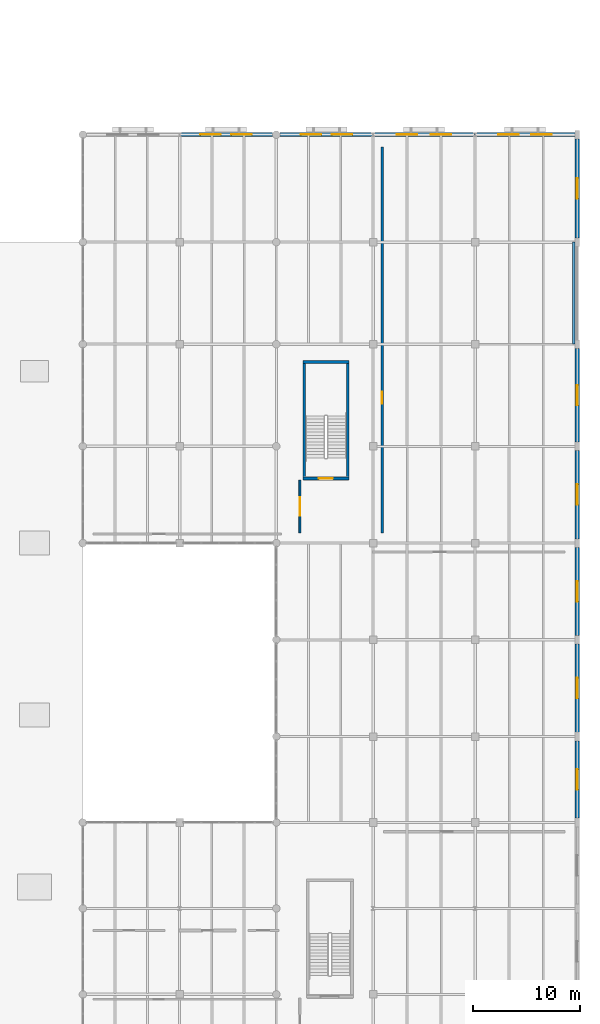
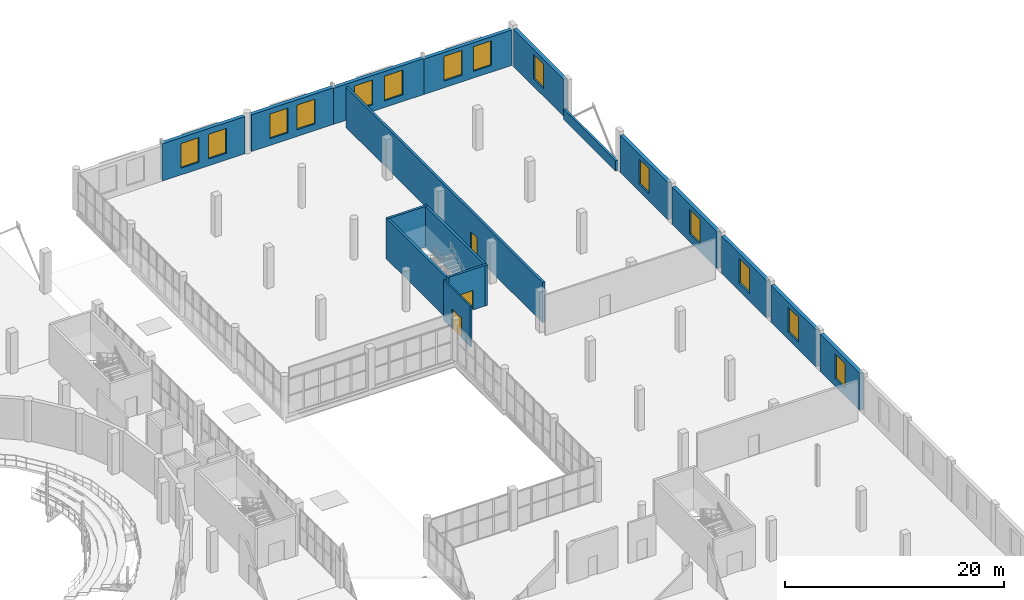
# One storey, part 76 of 93: 17 walls, 14 windows, 3 doors, 17 openings.
"""IFC4 building model written with IfcOpenShell, lengths in metres."""

from ifc_helpers import new_model, si_unit, direction, frame, frame_2d, origin, place, context, subcontext, project, spatial, rectangle, extrude, material, layer, layer_set, type_object, element, fill, save


model = new_model("IFC4")

# Units and contexts
model_context = context("Model", 3, precision=1e-05, world=origin(), true_north=direction((0.0, 1.0)))
body_context = subcontext(model_context, "Body", "Model", "MODEL_VIEW")
ifc_project = project(units=[si_unit("LENGTHUNIT", "METRE"), si_unit("AREAUNIT", "SQUARE_METRE"), si_unit("VOLUMEUNIT", "CUBIC_METRE"), si_unit("PLANEANGLEUNIT", "RADIAN"), si_unit("MASSUNIT", "GRAM", prefix="KILO")], contexts=[model_context])

# Site, building, storey
site_placement = place(None, origin())
site = spatial("IfcSite", under=ifc_project, at=site_placement, CompositionType="ELEMENT")
building_placement = place(site_placement, origin())
building = spatial("IfcBuilding", under=site, at=building_placement, Name="Marnock Terrace Opera House", CompositionType="ELEMENT")
storey_placement = place(building_placement, frame((0.0, 0.0, 5.39990234375)))
storey = spatial("IfcBuildingStorey", under=building, at=storey_placement, Name="L01", CompositionType="ELEMENT", Elevation=5.39990234375)

# Wall, opening, window
ifc_material_1 = material(Name="Basket Range sandstone ashlar masonry", Category="masonry")
ifc_layer_1 = layer(ifc_material_1, 0.389892578125)
ifc_layer_set_1 = layer_set([ifc_layer_1], Name="Basket Range sandstone ashlar masonry")
wall_type_1 = type_object("IfcWallType", Name="EW-ASHLAR-390", PredefinedType="SOLIDWALL", material=ifc_layer_set_1)
wall_1_placement = place(storey_placement, frame((164.0, 40.39599609375, 0.0), z_axis=(0.0, 0.0, 1.0), x_axis=(0.0, 1.0, 0.0)))
wall_1 = element("IfcWall", 1, at=wall_1_placement, inside=storey, type_object=wall_type_1, Name="L01 Volume 5 east sandstone facade 5", PredefinedType="SOLIDWALL", context=body_context, shape_type="SweptSolid", body=[
    extrude(rectangle(XDim=7.2080078125, YDim=0.389892578125, at=frame_2d((3.60400390625, 0.0))), origin(), (0.0, 0.0, 1.0), 4.151611328125),
])
opening_1_placement = place(wall_1_placement, frame((2.654052734375, 0.0, 0.85009765625)))
opening_1 = element("IfcOpeningElement", 2, at=opening_1_placement, cuts=wall_1, Name="Opening WT-25", PredefinedType="OPENING", context=body_context, shape_type="SweptSolid", body=[
    extrude(rectangle(XDim=1.89990234375, YDim=2.75, at=frame_2d((0.949951171875, 1.375))), frame((0.0, 0.204833984375, 0.0), z_axis=(0.0, -1.0, 0.0), x_axis=(1.0, 0.0, 0.0)), (0.0, 0.0, 1.0), 0.409912109375),
])
ifc_material_2 = material(Name="Double-glazed acoustic low-E laminated glass", Category="glass")
window_type = type_object("IfcWindowType", Name="WT-ARCH-1900", PartitioningType="DOUBLE_PANEL_VERTICAL", PredefinedType="WINDOW", material=ifc_material_2)
window_1_placement = place(opening_1_placement, origin())
window_1 = element("IfcWindow", 3, at=window_1_placement, inside=storey, type_object=window_type, Name="L01 facade window EW-V5E-L01-05.1", OverallHeight=2.75, OverallWidth=1.89990234375, PartitioningType="SINGLE_PANEL", PredefinedType="WINDOW", context=body_context, shape_type="SweptSolid", body=[
    extrude(rectangle(XDim=1.89990234375, YDim=2.75, at=frame_2d((0.949951171875, 1.375))), frame((0.0, 0.030029296875, 0.0), z_axis=(0.0, -1.0, 0.0), x_axis=(1.0, 0.0, 0.0)), (0.0, 0.0, 1.0), 0.06005859375),
])
fill(opening_1, window_1)

wall_2_placement = place(storey_placement, frame((164.0, 48.39599609375, 0.0), z_axis=(0.0, 0.0, 1.0), x_axis=(0.0, 1.0, 0.0)))
wall_2 = element("IfcWall", 4, at=wall_2_placement, inside=storey, type_object=wall_type_1, Name="L01 Volume 5 east sandstone facade 6", PredefinedType="SOLIDWALL", context=body_context, shape_type="SweptSolid", body=[
    extrude(rectangle(XDim=8.2080078125, YDim=0.389892578125, at=frame_2d((4.10400390625, 0.0))), origin(), (0.0, 0.0, 1.0), 4.151611328125),
])
opening_2_placement = place(wall_2_placement, frame((3.154052734375, 0.0, 0.85009765625)))
opening_2 = element("IfcOpeningElement", 5, at=opening_2_placement, cuts=wall_2, Name="Opening WT-25", PredefinedType="OPENING", context=body_context, shape_type="SweptSolid", body=[
    extrude(rectangle(XDim=1.89990234375, YDim=2.75, at=frame_2d((0.949951171875, 1.375))), frame((0.0, 0.204833984375, 0.0), z_axis=(0.0, -1.0, 0.0), x_axis=(1.0, 0.0, 0.0)), (0.0, 0.0, 1.0), 0.409912109375),
])
window_2_placement = place(opening_2_placement, origin())
window_2 = element("IfcWindow", 6, at=window_2_placement, inside=storey, type_object=window_type, Name="L01 facade window EW-V5E-L01-06.1", OverallHeight=2.75, OverallWidth=1.89990234375, PartitioningType="SINGLE_PANEL", PredefinedType="WINDOW", context=body_context, shape_type="SweptSolid", body=[
    extrude(rectangle(XDim=1.89990234375, YDim=2.75, at=frame_2d((0.949951171875, 1.375))), frame((0.0, 0.030029296875, 0.0), z_axis=(0.0, -1.0, 0.0), x_axis=(1.0, 0.0, 0.0)), (0.0, 0.0, 1.0), 0.06005859375),
])
fill(opening_2, window_2)

wall_3_placement = place(storey_placement, frame((164.0, 57.39599609375, 0.0), z_axis=(0.0, 0.0, 1.0), x_axis=(0.0, 1.0, 0.0)))
wall_3 = element("IfcWall", 7, at=wall_3_placement, inside=storey, type_object=wall_type_1, Name="L01 Volume 5 east sandstone facade 7", PredefinedType="SOLIDWALL", context=body_context, shape_type="SweptSolid", body=[
    extrude(rectangle(XDim=8.2080078125, YDim=0.389892578125, at=frame_2d((4.10400390625, 0.0))), origin(), (0.0, 0.0, 1.0), 4.151611328125),
])
opening_3_placement = place(wall_3_placement, frame((3.154052734375, 0.0, 0.85009765625)))
opening_3 = element("IfcOpeningElement", 8, at=opening_3_placement, cuts=wall_3, Name="Opening WT-25", PredefinedType="OPENING", context=body_context, shape_type="SweptSolid", body=[
    extrude(rectangle(XDim=1.89990234375, YDim=2.75, at=frame_2d((0.949951171875, 1.375))), frame((0.0, 0.204833984375, 0.0), z_axis=(0.0, -1.0, 0.0), x_axis=(1.0, 0.0, 0.0)), (0.0, 0.0, 1.0), 0.409912109375),
])
window_3_placement = place(opening_3_placement, origin())
window_3 = element("IfcWindow", 9, at=window_3_placement, inside=storey, type_object=window_type, Name="L01 facade window EW-V5E-L01-07.1", OverallHeight=2.75, OverallWidth=1.89990234375, PartitioningType="SINGLE_PANEL", PredefinedType="WINDOW", context=body_context, shape_type="SweptSolid", body=[
    extrude(rectangle(XDim=1.89990234375, YDim=2.75, at=frame_2d((0.949951171875, 1.375))), frame((0.0, 0.030029296875, 0.0), z_axis=(0.0, -1.0, 0.0), x_axis=(1.0, 0.0, 0.0)), (0.0, 0.0, 1.0), 0.06005859375),
])
fill(opening_3, window_3)

wall_4_placement = place(storey_placement, frame((164.0, 66.39599609375, 0.0), z_axis=(0.0, 0.0, 1.0), x_axis=(0.0, 1.0, 0.0)))
wall_4 = element("IfcWall", 10, at=wall_4_placement, inside=storey, type_object=wall_type_1, Name="L01 Volume 5 east sandstone facade 8", PredefinedType="SOLIDWALL", context=body_context, shape_type="SweptSolid", body=[
    extrude(rectangle(XDim=8.2080078125, YDim=0.389892578125, at=frame_2d((4.10400390625, 0.0))), origin(), (0.0, 0.0, 1.0), 4.151611328125),
])
opening_4_placement = place(wall_4_placement, frame((3.154052734375, 0.0, 0.85009765625)))
opening_4 = element("IfcOpeningElement", 11, at=opening_4_placement, cuts=wall_4, Name="Opening WT-25", PredefinedType="OPENING", context=body_context, shape_type="SweptSolid", body=[
    extrude(rectangle(XDim=1.89990234375, YDim=2.75, at=frame_2d((0.949951171875, 1.375))), frame((0.0, 0.204833984375, 0.0), z_axis=(0.0, -1.0, 0.0), x_axis=(1.0, 0.0, 0.0)), (0.0, 0.0, 1.0), 0.409912109375),
])
window_4_placement = place(opening_4_placement, origin())
window_4 = element("IfcWindow", 12, at=window_4_placement, inside=storey, type_object=window_type, Name="L01 facade window EW-V5E-L01-08.1", OverallHeight=2.75, OverallWidth=1.89990234375, PartitioningType="SINGLE_PANEL", PredefinedType="WINDOW", context=body_context, shape_type="SweptSolid", body=[
    extrude(rectangle(XDim=1.89990234375, YDim=2.75, at=frame_2d((0.949951171875, 1.375))), frame((0.0, 0.030029296875, 0.0), z_axis=(0.0, -1.0, 0.0), x_axis=(1.0, 0.0, 0.0)), (0.0, 0.0, 1.0), 0.06005859375),
])
fill(opening_4, window_4)

wall_5_placement = place(storey_placement, frame((164.0, 75.39599609375, 0.0), z_axis=(0.0, 0.0, 1.0), x_axis=(0.0, 1.0, 0.0)))
wall_5 = element("IfcWall", 13, at=wall_5_placement, inside=storey, type_object=wall_type_1, Name="L01 Volume 5 east sandstone facade 9", PredefinedType="SOLIDWALL", context=body_context, shape_type="SweptSolid", body=[
    extrude(rectangle(XDim=8.7080078125, YDim=0.389892578125, at=frame_2d((4.35400390625, 0.0))), origin(), (0.0, 0.0, 1.0), 4.151611328125),
])
opening_5_placement = place(wall_5_placement, frame((3.404052734375, 0.0, 0.85009765625)))
opening_5 = element("IfcOpeningElement", 14, at=opening_5_placement, cuts=wall_5, Name="Opening WT-25", PredefinedType="OPENING", context=body_context, shape_type="SweptSolid", body=[
    extrude(rectangle(XDim=1.89990234375, YDim=2.75, at=frame_2d((0.949951171875, 1.375))), frame((0.0, 0.204833984375, 0.0), z_axis=(0.0, -1.0, 0.0), x_axis=(1.0, 0.0, 0.0)), (0.0, 0.0, 1.0), 0.409912109375),
])
window_5_placement = place(opening_5_placement, origin())
window_5 = element("IfcWindow", 15, at=window_5_placement, inside=storey, type_object=window_type, Name="L01 facade window EW-V5E-L01-09.1", OverallHeight=2.75, OverallWidth=1.89990234375, PartitioningType="SINGLE_PANEL", PredefinedType="WINDOW", context=body_context, shape_type="SweptSolid", body=[
    extrude(rectangle(XDim=1.89990234375, YDim=2.75, at=frame_2d((0.949951171875, 1.375))), frame((0.0, 0.030029296875, 0.0), z_axis=(0.0, -1.0, 0.0), x_axis=(1.0, 0.0, 0.0)), (0.0, 0.0, 1.0), 0.06005859375),
])
fill(opening_5, window_5)

wall_6_placement = place(storey_placement, frame((164.0, 94.39599609375, 0.0), z_axis=(0.0, 0.0, 1.0), x_axis=(0.0, 1.0, 0.0)))
wall_6 = element("IfcWall", 16, at=wall_6_placement, inside=storey, type_object=wall_type_1, Name="L01 Volume 5 east sandstone facade 11", PredefinedType="SOLIDWALL", context=body_context, shape_type="SweptSolid", body=[
    extrude(rectangle(XDim=9.2080078125, YDim=0.389892578125, at=frame_2d((4.60400390625, 0.0))), origin(), (0.0, 0.0, 1.0), 4.151611328125),
])
opening_6_placement = place(wall_6_placement, frame((3.654052734375, 0.0, 0.85009765625)))
opening_6 = element("IfcOpeningElement", 17, at=opening_6_placement, cuts=wall_6, Name="Opening WT-25", PredefinedType="OPENING", context=body_context, shape_type="SweptSolid", body=[
    extrude(rectangle(XDim=1.89990234375, YDim=2.75, at=frame_2d((0.949951171875, 1.375))), frame((0.0, 0.204833984375, 0.0), z_axis=(0.0, -1.0, 0.0), x_axis=(1.0, 0.0, 0.0)), (0.0, 0.0, 1.0), 0.409912109375),
])
window_6_placement = place(opening_6_placement, origin())
window_6 = element("IfcWindow", 18, at=window_6_placement, inside=storey, type_object=window_type, Name="L01 facade window EW-V5E-L01-11.1", OverallHeight=2.75, OverallWidth=1.89990234375, PartitioningType="SINGLE_PANEL", PredefinedType="WINDOW", context=body_context, shape_type="SweptSolid", body=[
    extrude(rectangle(XDim=1.89990234375, YDim=2.75, at=frame_2d((0.949951171875, 1.375))), frame((0.0, 0.030029296875, 0.0), z_axis=(0.0, -1.0, 0.0), x_axis=(1.0, 0.0, 0.0)), (0.0, 0.0, 1.0), 0.06005859375),
])
fill(opening_6, window_6)

# Wall, openings, windows
wall_7_placement = place(storey_placement, frame((127.0, 104.0, 0.0), z_axis=(0.0, 0.0, 1.0), x_axis=(1.0, 0.0, 0.0)))
wall_7 = element("IfcWall", 19, at=wall_7_placement, inside=storey, type_object=wall_type_1, Name="L01 Volume 5 north parklands facade 2", PredefinedType="SOLIDWALL", context=body_context, shape_type="SweptSolid", body=[
    extrude(rectangle(XDim=8.654052734375, YDim=0.389892578125, at=frame_2d((4.3271484375, 0.0))), origin(), (0.0, 0.0, 1.0), 4.1474609375),
])
opening_7_placement = place(wall_7_placement, frame((1.934814453125, 0.0, 0.75)))
opening_7 = element("IfcOpeningElement", 20, at=opening_7_placement, cuts=wall_7, Name="Opening WT-25", PredefinedType="OPENING", context=body_context, shape_type="SweptSolid", body=[
    extrude(rectangle(XDim=1.89990234375, YDim=2.75, at=frame_2d((0.949951171875, 1.375))), frame((0.0, 0.204833984375, 0.0), z_axis=(0.0, -1.0, 0.0), x_axis=(1.0, 0.0, 0.0)), (0.0, 0.0, 1.0), 0.409912109375),
])
opening_8_placement = place(wall_7_placement, frame((4.8193359375, 0.0, 0.75)))
opening_8 = element("IfcOpeningElement", 21, at=opening_8_placement, cuts=wall_7, Name="Opening WT-25", PredefinedType="OPENING", context=body_context, shape_type="SweptSolid", body=[
    extrude(rectangle(XDim=1.89990234375, YDim=2.75, at=frame_2d((0.949951171875, 1.375))), frame((0.0, 0.204833984375, 0.0), z_axis=(0.0, -1.0, 0.0), x_axis=(1.0, 0.0, 0.0)), (0.0, 0.0, 1.0), 0.409912109375),
])
window_7_placement = place(opening_7_placement, origin())
window_7 = element("IfcWindow", 22, at=window_7_placement, inside=storey, type_object=window_type, Name="L01 facade window EW-V5N-L01-2.1", OverallHeight=2.75, OverallWidth=1.89990234375, PartitioningType="SINGLE_PANEL", PredefinedType="WINDOW", context=body_context, shape_type="SweptSolid", body=[
    extrude(rectangle(XDim=1.89990234375, YDim=2.75, at=frame_2d((0.949951171875, 1.375))), frame((0.0, 0.030029296875, 0.0), z_axis=(0.0, -1.0, 0.0), x_axis=(1.0, 0.0, 0.0)), (0.0, 0.0, 1.0), 0.06005859375),
])
fill(opening_7, window_7)
window_8_placement = place(opening_8_placement, origin())
window_8 = element("IfcWindow", 23, at=window_8_placement, inside=storey, type_object=window_type, Name="L01 facade window EW-V5N-L01-2.2", OverallHeight=2.75, OverallWidth=1.89990234375, PartitioningType="SINGLE_PANEL", PredefinedType="WINDOW", context=body_context, shape_type="SweptSolid", body=[
    extrude(rectangle(XDim=1.89990234375, YDim=2.75, at=frame_2d((0.949951171875, 1.375))), frame((0.0, 0.030029296875, 0.0), z_axis=(0.0, -1.0, 0.0), x_axis=(1.0, 0.0, 0.0)), (0.0, 0.0, 1.0), 0.06005859375),
])
fill(opening_8, window_8)

wall_8_placement = place(storey_placement, frame((136.345947265625, 104.0, 0.0), z_axis=(0.0, 0.0, 1.0), x_axis=(1.0, 0.0, 0.0)))
wall_8 = element("IfcWall", 24, at=wall_8_placement, inside=storey, type_object=wall_type_1, Name="L01 Volume 5 north parklands facade 3", PredefinedType="SOLIDWALL", context=body_context, shape_type="SweptSolid", body=[
    extrude(rectangle(XDim=8.654052734375, YDim=0.389892578125, at=frame_2d((4.3271484375, 0.0))), origin(), (0.0, 0.0, 1.0), 4.089599609375),
])
opening_9_placement = place(wall_8_placement, frame((1.934814453125, 0.0, 0.75)))
opening_9 = element("IfcOpeningElement", 25, at=opening_9_placement, cuts=wall_8, Name="Opening WT-25", PredefinedType="OPENING", context=body_context, shape_type="SweptSolid", body=[
    extrude(rectangle(XDim=1.89990234375, YDim=2.75, at=frame_2d((0.949951171875, 1.375))), frame((0.0, 0.204833984375, 0.0), z_axis=(0.0, -1.0, 0.0), x_axis=(1.0, 0.0, 0.0)), (0.0, 0.0, 1.0), 0.409912109375),
])
opening_10_placement = place(wall_8_placement, frame((4.8193359375, 0.0, 0.75)))
opening_10 = element("IfcOpeningElement", 26, at=opening_10_placement, cuts=wall_8, Name="Opening WT-25", PredefinedType="OPENING", context=body_context, shape_type="SweptSolid", body=[
    extrude(rectangle(XDim=1.89990234375, YDim=2.75, at=frame_2d((0.949951171875, 1.375))), frame((0.0, 0.204833984375, 0.0), z_axis=(0.0, -1.0, 0.0), x_axis=(1.0, 0.0, 0.0)), (0.0, 0.0, 1.0), 0.409912109375),
])
window_9_placement = place(opening_9_placement, origin())
window_9 = element("IfcWindow", 27, at=window_9_placement, inside=storey, type_object=window_type, Name="L01 facade window EW-V5N-L01-3.1", OverallHeight=2.75, OverallWidth=1.89990234375, PartitioningType="SINGLE_PANEL", PredefinedType="WINDOW", context=body_context, shape_type="SweptSolid", body=[
    extrude(rectangle(XDim=1.89990234375, YDim=2.75, at=frame_2d((0.949951171875, 1.375))), frame((0.0, 0.030029296875, 0.0), z_axis=(0.0, -1.0, 0.0), x_axis=(1.0, 0.0, 0.0)), (0.0, 0.0, 1.0), 0.06005859375),
])
fill(opening_9, window_9)
window_10_placement = place(opening_10_placement, origin())
window_10 = element("IfcWindow", 28, at=window_10_placement, inside=storey, type_object=window_type, Name="L01 facade window EW-V5N-L01-3.2", OverallHeight=2.75, OverallWidth=1.89990234375, PartitioningType="SINGLE_PANEL", PredefinedType="WINDOW", context=body_context, shape_type="SweptSolid", body=[
    extrude(rectangle(XDim=1.89990234375, YDim=2.75, at=frame_2d((0.949951171875, 1.375))), frame((0.0, 0.030029296875, 0.0), z_axis=(0.0, -1.0, 0.0), x_axis=(1.0, 0.0, 0.0)), (0.0, 0.0, 1.0), 0.06005859375),
])
fill(opening_10, window_10)

wall_9_placement = place(storey_placement, frame((145.0, 104.0, 0.0), z_axis=(0.0, 0.0, 1.0), x_axis=(1.0, 0.0, 0.0)))
wall_9 = element("IfcWall", 29, at=wall_9_placement, inside=storey, type_object=wall_type_1, Name="L01 Volume 5 north parklands facade 4", PredefinedType="SOLIDWALL", context=body_context, shape_type="SweptSolid", body=[
    extrude(rectangle(XDim=9.5, YDim=0.389892578125, at=frame_2d((4.75, 0.0))), origin(), (0.0, 0.0, 1.0), 4.01708984375),
])
opening_11_placement = place(wall_9_placement, frame((2.216796875, 0.0, 0.75)))
opening_11 = element("IfcOpeningElement", 30, at=opening_11_placement, cuts=wall_9, Name="Opening WT-25", PredefinedType="OPENING", context=body_context, shape_type="SweptSolid", body=[
    extrude(rectangle(XDim=1.89990234375, YDim=2.75, at=frame_2d((0.949951171875, 1.375))), frame((0.0, 0.204833984375, 0.0), z_axis=(0.0, -1.0, 0.0), x_axis=(1.0, 0.0, 0.0)), (0.0, 0.0, 1.0), 0.409912109375),
])
opening_12_placement = place(wall_9_placement, frame((5.38330078125, 0.0, 0.75)))
opening_12 = element("IfcOpeningElement", 31, at=opening_12_placement, cuts=wall_9, Name="Opening WT-25", PredefinedType="OPENING", context=body_context, shape_type="SweptSolid", body=[
    extrude(rectangle(XDim=1.89990234375, YDim=2.75, at=frame_2d((0.949951171875, 1.375))), frame((0.0, 0.204833984375, 0.0), z_axis=(0.0, -1.0, 0.0), x_axis=(1.0, 0.0, 0.0)), (0.0, 0.0, 1.0), 0.409912109375),
])
window_11_placement = place(opening_11_placement, origin())
window_11 = element("IfcWindow", 32, at=window_11_placement, inside=storey, type_object=window_type, Name="L01 facade window EW-V5N-L01-4.1", OverallHeight=2.75, OverallWidth=1.89990234375, PartitioningType="SINGLE_PANEL", PredefinedType="WINDOW", context=body_context, shape_type="SweptSolid", body=[
    extrude(rectangle(XDim=1.89990234375, YDim=2.75, at=frame_2d((0.949951171875, 1.375))), frame((0.0, 0.030029296875, 0.0), z_axis=(0.0, -1.0, 0.0), x_axis=(1.0, 0.0, 0.0)), (0.0, 0.0, 1.0), 0.06005859375),
])
fill(opening_11, window_11)
window_12_placement = place(opening_12_placement, origin())
window_12 = element("IfcWindow", 33, at=window_12_placement, inside=storey, type_object=window_type, Name="L01 facade window EW-V5N-L01-4.2", OverallHeight=2.75, OverallWidth=1.89990234375, PartitioningType="SINGLE_PANEL", PredefinedType="WINDOW", context=body_context, shape_type="SweptSolid", body=[
    extrude(rectangle(XDim=1.89990234375, YDim=2.75, at=frame_2d((0.949951171875, 1.375))), frame((0.0, 0.030029296875, 0.0), z_axis=(0.0, -1.0, 0.0), x_axis=(1.0, 0.0, 0.0)), (0.0, 0.0, 1.0), 0.06005859375),
])
fill(opening_12, window_12)

wall_10_placement = place(storey_placement, frame((154.5, 104.0, 0.0), z_axis=(0.0, 0.0, 1.0), x_axis=(1.0, 0.0, 0.0)))
wall_10 = element("IfcWall", 34, at=wall_10_placement, inside=storey, type_object=wall_type_1, Name="L01 Volume 5 north parklands facade 5", PredefinedType="SOLIDWALL", context=body_context, shape_type="SweptSolid", body=[
    extrude(rectangle(XDim=9.279052734375, YDim=0.389892578125, at=frame_2d((4.6396484375, 0.0))), origin(), (0.0, 0.0, 1.0), 3.943115234375),
])
opening_13_placement = place(wall_10_placement, frame((2.14306640625, 0.0, 0.75)))
opening_13 = element("IfcOpeningElement", 35, at=opening_13_placement, cuts=wall_10, Name="Opening WT-25", PredefinedType="OPENING", context=body_context, shape_type="SweptSolid", body=[
    extrude(rectangle(XDim=1.89990234375, YDim=2.75, at=frame_2d((0.949951171875, 1.375))), frame((0.0, 0.204833984375, 0.0), z_axis=(0.0, -1.0, 0.0), x_axis=(1.0, 0.0, 0.0)), (0.0, 0.0, 1.0), 0.409912109375),
])
opening_14_placement = place(wall_10_placement, frame((5.236083984375, 0.0, 0.75)))
opening_14 = element("IfcOpeningElement", 36, at=opening_14_placement, cuts=wall_10, Name="Opening WT-25", PredefinedType="OPENING", context=body_context, shape_type="SweptSolid", body=[
    extrude(rectangle(XDim=1.89990234375, YDim=2.75, at=frame_2d((0.949951171875, 1.375))), frame((0.0, 0.204833984375, 0.0), z_axis=(0.0, -1.0, 0.0), x_axis=(1.0, 0.0, 0.0)), (0.0, 0.0, 1.0), 0.409912109375),
])
window_13_placement = place(opening_13_placement, origin())
window_13 = element("IfcWindow", 37, at=window_13_placement, inside=storey, type_object=window_type, Name="L01 facade window EW-V5N-L01-5.1", OverallHeight=2.75, OverallWidth=1.89990234375, PartitioningType="SINGLE_PANEL", PredefinedType="WINDOW", context=body_context, shape_type="SweptSolid", body=[
    extrude(rectangle(XDim=1.89990234375, YDim=2.75, at=frame_2d((0.949951171875, 1.375))), frame((0.0, 0.030029296875, 0.0), z_axis=(0.0, -1.0, 0.0), x_axis=(1.0, 0.0, 0.0)), (0.0, 0.0, 1.0), 0.06005859375),
])
fill(opening_13, window_13)
window_14_placement = place(opening_14_placement, origin())
window_14 = element("IfcWindow", 38, at=window_14_placement, inside=storey, type_object=window_type, Name="L01 facade window EW-V5N-L01-5.2", OverallHeight=2.75, OverallWidth=1.89990234375, PartitioningType="SINGLE_PANEL", PredefinedType="WINDOW", context=body_context, shape_type="SweptSolid", body=[
    extrude(rectangle(XDim=1.89990234375, YDim=2.75, at=frame_2d((0.949951171875, 1.375))), frame((0.0, 0.030029296875, 0.0), z_axis=(0.0, -1.0, 0.0), x_axis=(1.0, 0.0, 0.0)), (0.0, 0.0, 1.0), 0.06005859375),
])
fill(opening_14, window_14)

# Wall
ifc_material_3 = material(Name="Pale hydraulic lime architectural render on masonry", Category="masonry")
ifc_layer_2 = layer(ifc_material_3, 0.22998046875)
ifc_layer_set_2 = layer_set([ifc_layer_2], Name="Pale hydraulic lime architectural render on masonry")
wall_type_2 = type_object("IfcWallType", Name="EW-PARA-230", PredefinedType="PARAPET", material=ifc_layer_set_2)
wall_11_placement = place(storey_placement, frame((163.679931640625, 84.5, 0.0), z_axis=(0.0, 0.0, 1.0), x_axis=(0.0, 1.0, 0.0)))
element("IfcWall", 39, at=wall_11_placement, inside=storey, type_object=wall_type_2, Name="L01 braced-bay interior spandrel guard upstand UPST-BRACE-V5E-L01", PredefinedType="PARAPET", context=body_context, shape_type="SweptSolid", body=[
    extrude(rectangle(XDim=9.5, YDim=0.22998046875, at=frame_2d((4.75, 0.0))), origin(), (0.0, 0.0, 1.0), 1.150146484375),
])

# Wall, opening, door
ifc_material_4 = material(Name="Double-stud acoustic plasterboard with mineral-wool infill")
ifc_layer_3 = layer(ifc_material_4, 0.239990234375)
ifc_layer_set_3 = layer_set([ifc_layer_3], Name="Double-stud acoustic plasterboard with mineral-wool infill")
wall_type_3 = type_object("IfcWallType", Name="IW-ACOUSTIC-240", PredefinedType="PARTITIONING", material=ifc_layer_set_3)
wall_12_placement = place(storey_placement, frame((145.85009765625, 66.949951171875, 0.0), z_axis=(0.0, 0.0, 1.0), x_axis=(0.0, 1.0, 0.0)))
wall_12 = element("IfcWall", 40, at=wall_12_placement, inside=storey, type_object=wall_type_3, Name="L01 Make-up and Wig Preparation Room acoustic partition wall", PredefinedType="PARTITIONING", context=body_context, shape_type="SweptSolid", body=[
    extrude(rectangle(XDim=35.900146484375, YDim=0.239990234375, at=frame_2d((17.9501953125, 0.0))), origin(), (0.0, 0.0, 1.0), 4.489990234375),
])
opening_15_placement = place(wall_12_placement, frame((11.9951171875, 0.0, 0.0)))
opening_15 = element("IfcOpeningElement", 41, at=opening_15_placement, cuts=wall_12, Name="Opening D-L01-25", PredefinedType="OPENING", context=body_context, shape_type="SweptSolid", body=[
    extrude(rectangle(XDim=1.139892578125, YDim=2.199951171875, at=frame_2d((0.56982421875, 1.10009765625))), frame((0.0, 0.1298828125, 0.0), z_axis=(0.0, -1.0, 0.0), x_axis=(1.0, 0.0, 0.0)), (0.0, 0.0, 1.0), 0.260009765625),
])
ifc_material_5 = material(Name="Solid-core Tasmanian oak acoustic door leaf")
door_type_1 = type_object("IfcDoorType", Name="DT-DRESS-1140", OperationType="NOTDEFINED", PredefinedType="DOOR", material=ifc_material_5)
door_1_placement = place(opening_15_placement, origin())
door_1 = element("IfcDoor", 42, at=door_1_placement, inside=storey, type_object=door_type_1, Name="L01 Make-up and Wig Preparation Room entrance door", OperationType="SINGLE_SWING_RIGHT", OverallHeight=2.199951171875, OverallWidth=1.139892578125, PredefinedType="DOOR", context=body_context, shape_type="SweptSolid", body=[
    extrude(rectangle(XDim=1.139892578125, YDim=2.199951171875, at=frame_2d((0.56982421875, 1.10009765625))), frame((0.0, 0.02490234375, 0.0), z_axis=(0.0, -1.0, 0.0), x_axis=(1.0, 0.0, 0.0)), (0.0, 0.0, 1.0), 0.050048828125),
])
fill(opening_15, door_1)

ifc_material_6 = material(Name="Rendered acoustic concrete blockwork", Category="masonry")
ifc_layer_4 = layer(ifc_material_6, 0.18505859375)
ifc_layer_set_4 = layer_set([ifc_layer_4], Name="Rendered acoustic concrete blockwork")
wall_type_4 = type_object("IfcWallType", Name="IW-FIRE-185", PredefinedType="PARTITIONING", material=ifc_layer_set_4)
wall_13_placement = place(storey_placement, frame((138.199951171875, 66.949951171875, 0.0), z_axis=(0.0, 0.0, 1.0), x_axis=(0.0, 1.0, 0.0)))
wall_13 = element("IfcWall", 43, at=wall_13_placement, inside=storey, type_object=wall_type_4, Name="L01 C8 fire-rated lift and stair lobby wall", PredefinedType="PARTITIONING", context=body_context, shape_type="SweptSolid", body=[
    extrude(rectangle(XDim=4.900146484375, YDim=0.18505859375, at=frame_2d((2.4501953125, 0.0))), origin(), (0.0, 0.0, 1.0), 4.489990234375),
])
opening_16_placement = place(wall_13_placement, frame((1.610107421875, 0.0, 0.0)))
opening_16 = element("IfcOpeningElement", 44, at=opening_16_placement, cuts=wall_13, Name="Opening FD-C8-L01", PredefinedType="OPENING", context=body_context, shape_type="SweptSolid", body=[
    extrude(rectangle(XDim=1.679931640625, YDim=2.25, at=frame_2d((0.83984375, 1.125))), frame((0.0, 0.1025390625, 0.0), z_axis=(0.0, -1.0, 0.0), x_axis=(1.0, 0.0, 0.0)), (0.0, 0.0, 1.0), 0.205078125),
])
ifc_material_7 = material(Name="Fire-rated acoustic timber-core door assembly", Category="wood")
door_type_2 = type_object("IfcDoorType", Name="DT-LOBBY-1680", OperationType="NOTDEFINED", PredefinedType="DOOR", material=ifc_material_7)
door_2_placement = place(opening_16_placement, origin())
door_2 = element("IfcDoor", 45, at=door_2_placement, inside=storey, type_object=door_type_2, Name="L01 C8 lobby self-closing smoke door", OperationType="SINGLE_SWING_RIGHT", OverallHeight=2.25, OverallWidth=1.679931640625, PredefinedType="DOOR", context=body_context, shape_type="SweptSolid", body=[
    extrude(rectangle(XDim=1.679931640625, YDim=2.25, at=frame_2d((0.83984375, 1.125))), frame((0.0, 0.02490234375, 0.0), z_axis=(0.0, -1.0, 0.0), x_axis=(1.0, 0.0, 0.0)), (0.0, 0.0, 1.0), 0.050048828125),
])
fill(opening_16, door_2)

ifc_material_8 = material(Name="Concrete N40 (f'c = 40 MPa)", Category="concrete")
ifc_layer_5 = layer(ifc_material_8, 0.25)
ifc_layer_set_5 = layer_set([ifc_layer_5], Name="Concrete N40 (f'c = 40 MPa)")
wall_type_5 = type_object("IfcWallType", Name="SW-CORE-250", PredefinedType="SHEAR", material=ifc_layer_set_5)
wall_14_placement = place(storey_placement, frame((138.47509765625, 72.0, 0.0), z_axis=(0.0, 0.0, 1.0), x_axis=(1.0, 0.0, 0.0)))
wall_14 = element("IfcWall", 46, at=wall_14_placement, inside=storey, type_object=wall_type_5, Name="L01 Core C8 FRL 120/120/120 shear wall S", PredefinedType="SHEAR", context=body_context, shape_type="SweptSolid", body=[
    extrude(rectangle(XDim=4.289794921875, YDim=0.25, at=frame_2d((2.14501953125, 0.0))), origin(), (0.0, 0.0, 1.0), 4.5400390625),
])
opening_17_placement = place(wall_14_placement, frame((1.4951171875, 0.0, 0.0)))
opening_17 = element("IfcOpeningElement", 47, at=opening_17_placement, cuts=wall_14, Name="Opening SD-C8-L01", PredefinedType="OPENING", context=body_context, shape_type="SweptSolid", body=[
    extrude(rectangle(XDim=1.300048828125, YDim=2.179931640625, at=frame_2d((0.64990234375, 1.08984375))), frame((0.0, 0.135009765625, 0.0), z_axis=(0.0, -1.0, 0.0), x_axis=(1.0, 0.0, 0.0)), (0.0, 0.0, 1.0), 0.27001953125),
])
door_type_3 = type_object("IfcDoorType", Name="DT-STAIR-1300", OperationType="NOTDEFINED", PredefinedType="DOOR", material=ifc_material_7)
door_3_placement = place(opening_17_placement, origin())
door_3 = element("IfcDoor", 48, at=door_3_placement, inside=storey, type_object=door_type_3, Name="L01 Stair ST-08 fire-isolated exit door", OperationType="SINGLE_SWING_LEFT", OverallHeight=2.179931640625, OverallWidth=1.300048828125, PredefinedType="DOOR", context=body_context, shape_type="SweptSolid", body=[
    extrude(rectangle(XDim=1.300048828125, YDim=2.179931640625, at=frame_2d((0.64990234375, 1.08984375))), frame((0.0, 0.02490234375, 0.0), z_axis=(0.0, -1.0, 0.0), x_axis=(1.0, 0.0, 0.0)), (0.0, 0.0, 1.0), 0.050048828125),
])
fill(opening_17, door_3)

# Walls
wall_15_placement = place(storey_placement, frame((138.47509765625, 82.840087890625, 0.0), z_axis=(0.0, 0.0, 1.0), x_axis=(1.0, 0.0, 0.0)))
element("IfcWall", 49, at=wall_15_placement, inside=storey, type_object=wall_type_5, Name="L01 Core C8 FRL 120/120/120 shear wall N", PredefinedType="SHEAR", context=body_context, shape_type="SweptSolid", body=[
    extrude(rectangle(XDim=4.289794921875, YDim=0.25, at=frame_2d((2.14501953125, 0.0))), origin(), (0.0, 0.0, 1.0), 4.5400390625),
])
for number, where, z_axis, x_axis, name in (
    (50, (138.60009765625, 71.875, 0.0), (0.0, 0.0, 1.0), (0.0, 1.0, 0.0), "L01 Core C8 FRL 120/120/120 shear wall W"),
    (51, (142.639892578125, 71.875, 0.0), (0.0, 0.0, 1.0), (0.0, 1.0, 0.0), "L01 Core C8 FRL 120/120/120 shear wall E"),
):
    element("IfcWall", number, at=place(storey_placement, frame(where, z_axis=z_axis, x_axis=x_axis)), inside=storey, type_object=wall_type_5, Name=name, PredefinedType="SHEAR", context=body_context, shape_type="SweptSolid", body=[
        extrude(rectangle(XDim=11.090087890625, YDim=0.25, at=frame_2d((5.544921875, 0.0))), origin(), (0.0, 0.0, 1.0), 4.5400390625),
    ])

save(model, "model.ifc")
